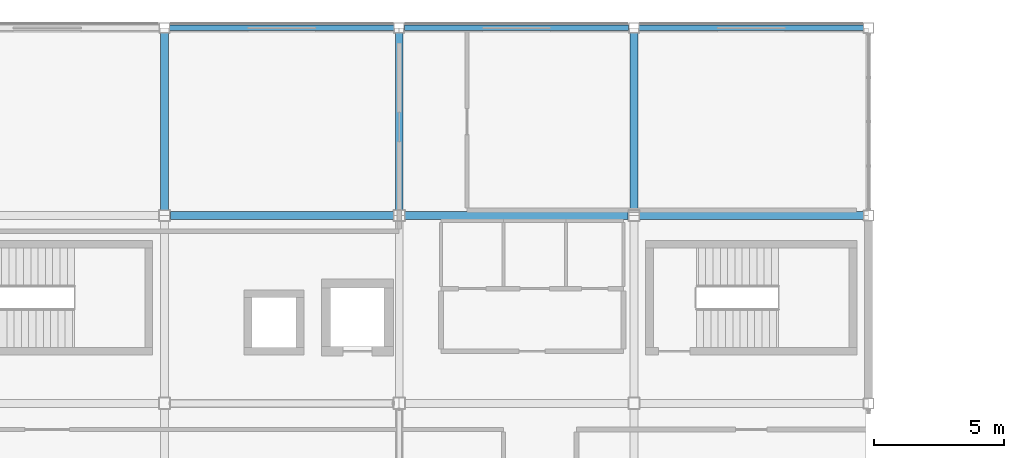
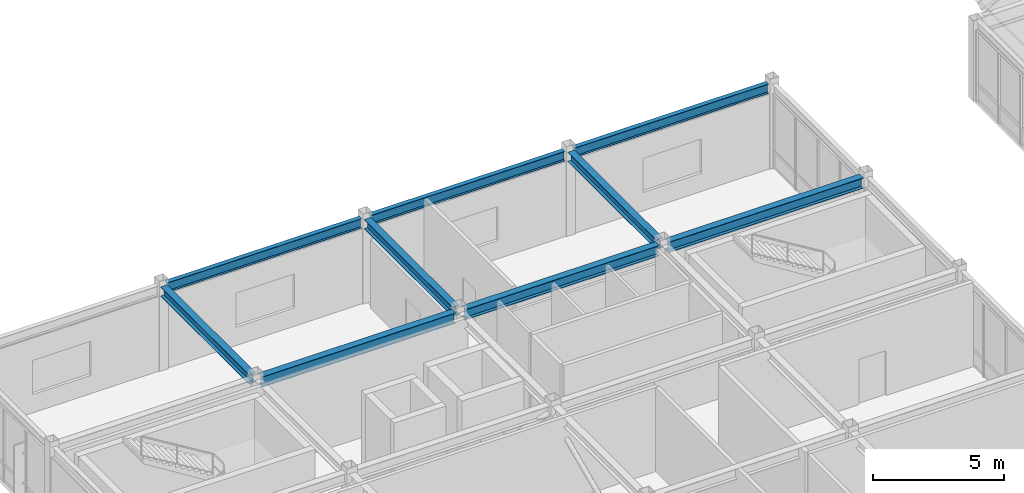
# One storey, part 55 of 106: 9 beams.
"""IFC4 building model written with IfcOpenShell, lengths in metres."""

from ifc_helpers import new_model, si_unit, direction, frame, origin, origin_2d, place, context, subcontext, project, spatial, i_section, extrude, material, material_profile, profile_set, type_object, element, save


model = new_model("IFC4")

# Units and contexts
model_context = context("Model", 3, precision=1e-05, world=origin(), true_north=direction((0.0, 1.0)))
body_context = subcontext(model_context, "Body", "Model", "MODEL_VIEW")
ifc_project = project(units=[si_unit("LENGTHUNIT", "METRE"), si_unit("AREAUNIT", "SQUARE_METRE"), si_unit("VOLUMEUNIT", "CUBIC_METRE"), si_unit("PLANEANGLEUNIT", "RADIAN"), si_unit("MASSUNIT", "GRAM", prefix="KILO")], contexts=[model_context])

# Site, building, storey
site_placement = place(None, origin())
site = spatial("IfcSite", under=ifc_project, at=site_placement, CompositionType="ELEMENT")
building_placement = place(site_placement, origin())
building = spatial("IfcBuilding", under=site, at=building_placement, Name="Kazanami Central Library", CompositionType="ELEMENT")
storey_placement = place(building_placement, frame((0.0, 0.0, 12.800048828125)))
storey = spatial("IfcBuildingStorey", under=building, at=storey_placement, Name="L04", CompositionType="ELEMENT", Elevation=12.800048828125)

# Beams
ifc_material = material(Name="Steel SN490B (325 MPa)", Category="steel")
ifc_material_profile_1 = material_profile(ifc_material, i_section(OverallWidth=0.300048828125, OverallDepth=0.488037109375, WebThickness=0.010986328125, FlangeThickness=0.01806640625, at=origin_2d()), Name="H-488x300x11x18")
ifc_profile_set_1 = profile_set([ifc_material_profile_1], Name="Steel SN490B (325 MPa)")
beam_type_1 = type_object("IfcBeamType", Name="BM-G-X5", PredefinedType="BEAM", material=ifc_profile_set_1)
for number, where, z_axis, x_axis, name in (
    (1, (9.222900390625, 86.39990234375, 3.696044921875), (1.0, 0.0, 0.0), (0.0, 1.0, 0.0), "Girder G-X5 L04 N/2-3"),
    (2, (18.222900390625, 86.39990234375, 3.696044921875), (1.0, 0.0, 0.0), (0.0, 1.0, 0.0), "Girder G-X5 L04 N/3-4"),
):
    element("IfcBeam", number, at=place(storey_placement, frame(where, z_axis=z_axis, x_axis=x_axis)), inside=storey, type_object=beam_type_1, Name=name, PredefinedType="BEAM", context=body_context, shape_type="SweptSolid", body=[
        extrude(i_section(OverallWidth=0.300048828125, OverallDepth=0.488037109375, WebThickness=0.010986328125, FlangeThickness=0.01806640625, at=origin_2d()), origin(), (0.0, 0.0, 1.0), 8.55419921875),
    ])
beam_placement = place(storey_placement, frame((27.222900390625, 86.39990234375, 3.696044921875), z_axis=(1.0, 0.0, 0.0), x_axis=(0.0, 1.0, 0.0)))
element("IfcBeam", 3, at=beam_placement, inside=storey, type_object=beam_type_1, Name="Girder G-X5 L04 N/4-5", PredefinedType="BEAM", context=body_context, shape_type="SweptSolid", body=[
    extrude(i_section(OverallWidth=0.300048828125, OverallDepth=0.488037109375, WebThickness=0.010986328125, FlangeThickness=0.01806640625, at=origin_2d()), origin(), (0.0, 0.0, 1.0), 8.5791015625),
])
ifc_material_profile_2 = material_profile(ifc_material, i_section(OverallWidth=0.300048828125, OverallDepth=0.43994140625, WebThickness=0.010986328125, FlangeThickness=0.01806640625, at=origin_2d()), Name="H-440x300x11x18")
ifc_profile_set_2 = profile_set([ifc_material_profile_2], Name="Steel SN490B (325 MPa)")
beam_type_2 = type_object("IfcBeamType", Name="BM-G-Y4", PredefinedType="BEAM", material=ifc_profile_set_2)
for number, where, z_axis, x_axis, name in (
    (4, (9.0, 86.623046875, 3.719970703125), (0.0, 1.0, 0.0), (-1.0, 0.0, 0.0), "Girder G-Y4 L04 2/N-O"),
    (5, (18.0, 86.623046875, 3.719970703125), (0.0, 1.0, 0.0), (-1.0, 0.0, 0.0), "Girder G-Y4 L04 3/N-O"),
    (6, (27.0, 86.623046875, 3.719970703125), (0.0, 1.0, 0.0), (-1.0, 0.0, 0.0), "Girder G-Y4 L04 4/N-O"),
):
    element("IfcBeam", number, at=place(storey_placement, frame(where, z_axis=z_axis, x_axis=x_axis)), inside=storey, type_object=beam_type_2, Name=name, PredefinedType="BEAM", context=body_context, shape_type="SweptSolid", body=[
        extrude(i_section(OverallWidth=0.300048828125, OverallDepth=0.43994140625, WebThickness=0.010986328125, FlangeThickness=0.01806640625, at=origin_2d()), origin(), (0.0, 0.0, 1.0), 6.779052734375),
    ])
ifc_material_profile_3 = material_profile(ifc_material, i_section(OverallWidth=0.199951171875, OverallDepth=0.449951171875, WebThickness=0.009033203125, FlangeThickness=0.013916015625, at=origin_2d()), Name="H-450x200x9x14")
ifc_profile_set_3 = profile_set([ifc_material_profile_3], Name="Steel SN490B (325 MPa)")
beam_type_3 = type_object("IfcBeamType", Name="BM-SP-2", PredefinedType="SPANDREL", material=ifc_profile_set_3)
for number, where, z_axis, x_axis, name in (
    (7, (9.197998046875, 93.60009765625, 3.71484375), (1.0, 0.0, 0.0), (0.0, 1.0, 0.0), "Girder SP-2 L04 O/2-3"),
    (8, (18.197998046875, 93.60009765625, 3.71484375), (1.0, 0.0, 0.0), (0.0, 1.0, 0.0), "Girder SP-2 L04 O/3-4"),
    (9, (27.197998046875, 93.60009765625, 3.71484375), (1.0, 0.0, 0.0), (0.0, 1.0, 0.0), "Girder SP-2 L04 O/4-5"),
):
    element("IfcBeam", number, at=place(storey_placement, frame(where, z_axis=z_axis, x_axis=x_axis)), inside=storey, type_object=beam_type_3, Name=name, PredefinedType="SPANDREL", context=body_context, shape_type="SweptSolid", body=[
        extrude(i_section(OverallWidth=0.199951171875, OverallDepth=0.449951171875, WebThickness=0.009033203125, FlangeThickness=0.013916015625, at=origin_2d()), origin(), (0.0, 0.0, 1.0), 8.60400390625),
    ])

save(model, "model.ifc")
